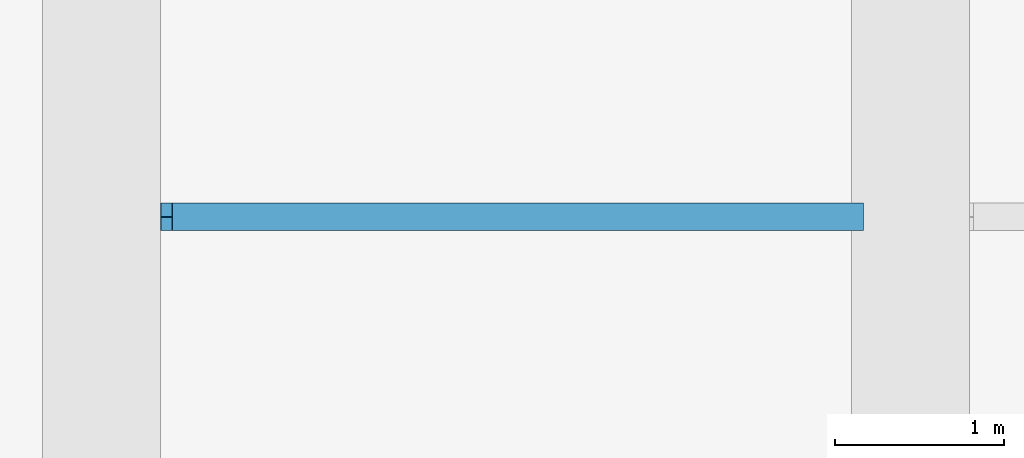
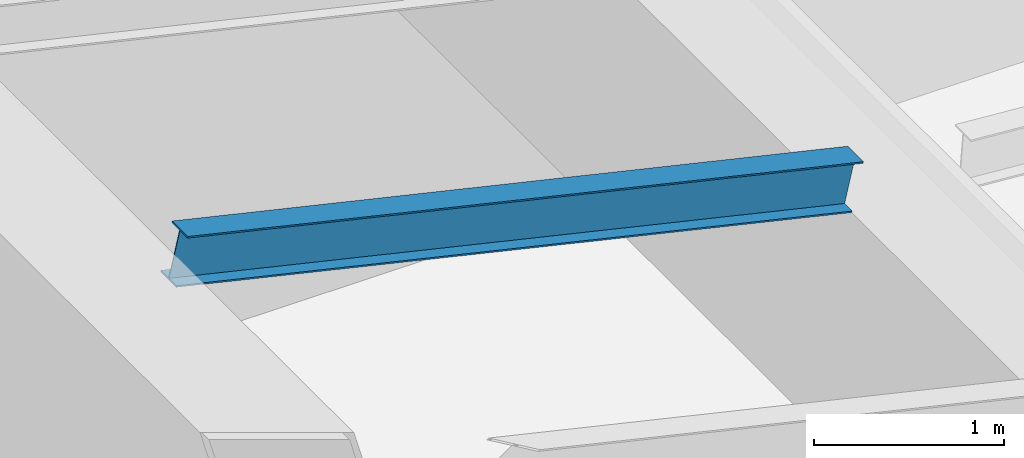
# One storey, part 21 of 58: 1 beam.
"""IFC4 building model written with IfcOpenShell, lengths in metres."""

from ifc_helpers import new_model, si_unit, direction, frame, origin, origin_2d, place, context, subcontext, project, spatial, i_section, extrude, material, material_profile, profile_set, type_object, element, save


model = new_model("IFC4")

# Units and contexts
model_context = context("Model", 3, precision=1e-05, world=origin(), true_north=direction((0.0, 1.0)))
body_context = subcontext(model_context, "Body", "Model", "MODEL_VIEW")
ifc_project = project(units=[si_unit("LENGTHUNIT", "METRE"), si_unit("AREAUNIT", "SQUARE_METRE"), si_unit("VOLUMEUNIT", "CUBIC_METRE"), si_unit("PLANEANGLEUNIT", "RADIAN"), si_unit("MASSUNIT", "GRAM", prefix="KILO")], contexts=[model_context])

# Site, building, storey
site_placement = place(None, origin())
site = spatial("IfcSite", under=ifc_project, at=site_placement, CompositionType="ELEMENT")
building_placement = place(site_placement, origin())
building = spatial("IfcBuilding", under=site, at=building_placement, Name="Baori Bourse Tower", CompositionType="ELEMENT")
storey_placement = place(building_placement, origin())
storey = spatial("IfcBuildingStorey", under=building, at=storey_placement, Name="L00", CompositionType="ELEMENT", Elevation=0.0)

# Beam
ifc_material = material(Name="Steel A992 Gr 50", Category="steel")
ifc_material_profile = material_profile(ifc_material, i_section(OverallWidth=0.164794921875, OverallDepth=0.309814453125, WebThickness=0.005859375, FlangeThickness=0.009765625, at=origin_2d()), Name="W12x26")
ifc_profile_set = profile_set([ifc_material_profile], Name="Steel A992 Gr 50")
beam_type = type_object("IfcBeamType", Name="Wing beam W12x26", PredefinedType="BEAM", material=ifc_profile_set)
beam_placement = place(storey_placement, frame((19.585205078125, -17.64990234375, 12.980224609375), z_axis=(0.973884396971, 0.0, -0.227044447933), x_axis=(0.0, 1.0, 0.0)))
element("IfcBeam", 1, at=beam_placement, inside=storey, type_object=beam_type, Name="wing/L00/purlin/004", PredefinedType="BEAM", context=body_context, shape_type="SweptSolid", body=[
    extrude(i_section(OverallWidth=0.164794921875, OverallDepth=0.309814453125, WebThickness=0.005859375, FlangeThickness=0.009765625, at=origin_2d()), origin(), (0.0, 0.0, 1.0), 4.209716796875),
])

save(model, "model.ifc")
